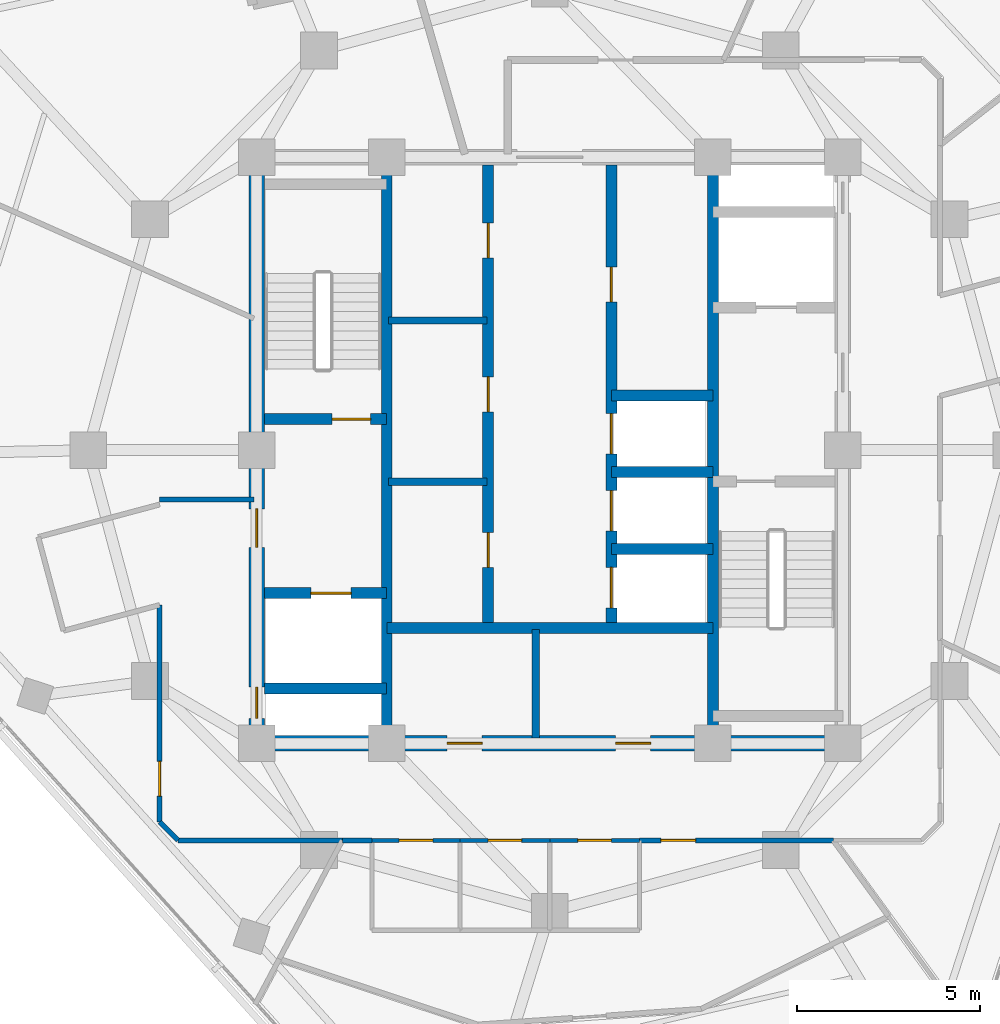
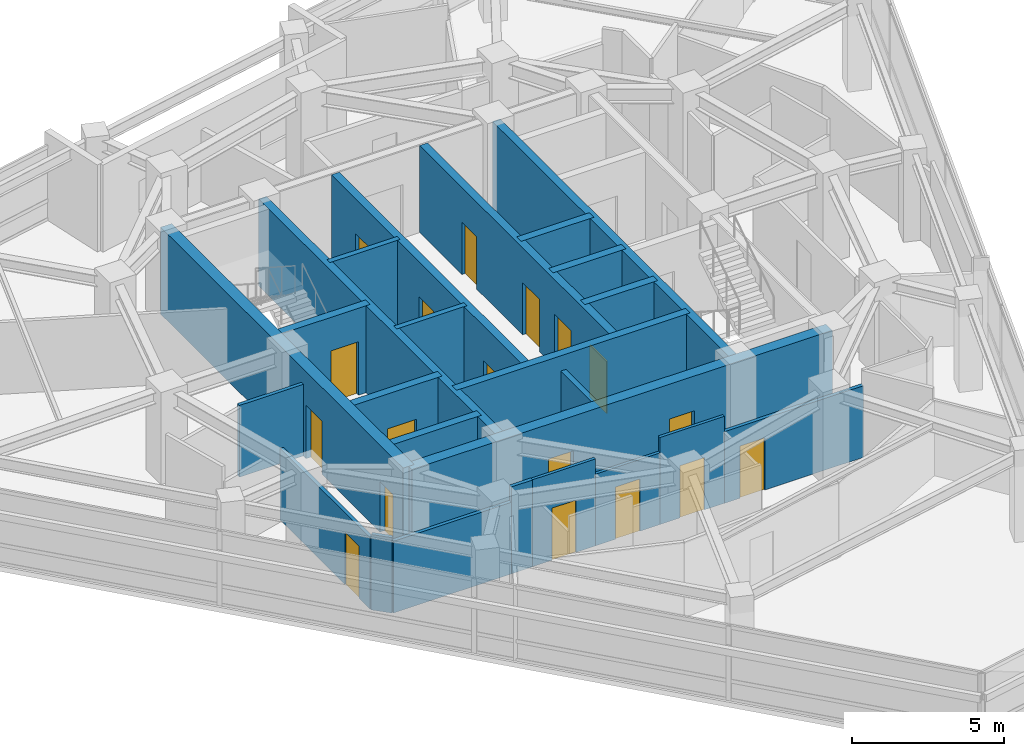
# One storey, part 8 of 15: 25 walls, 18 doors, 18 openings.
"""IFC4 building model written with IfcOpenShell, lengths in metres."""

from ifc_helpers import new_model, si_unit, direction, frame, frame_2d, origin, place, context, subcontext, project, spatial, rectangle, extrude, material, layer, layer_set, type_object, element, fill, save


model = new_model("IFC4")

# Units and contexts
model_context = context("Model", 3, precision=1e-05, world=origin(), true_north=direction((0.0, 1.0)))
body_context = subcontext(model_context, "Body", "Model", "MODEL_VIEW")
ifc_project = project(units=[si_unit("LENGTHUNIT", "METRE"), si_unit("AREAUNIT", "SQUARE_METRE"), si_unit("VOLUMEUNIT", "CUBIC_METRE"), si_unit("PLANEANGLEUNIT", "RADIAN"), si_unit("MASSUNIT", "GRAM", prefix="KILO")], contexts=[model_context])

# Site, building, storey
site_placement = place(None, origin())
site = spatial("IfcSite", under=ifc_project, at=site_placement, CompositionType="ELEMENT")
building_placement = place(site_placement, origin())
building = spatial("IfcBuilding", under=site, at=building_placement, Name="Terralouvre Media Tower", CompositionType="ELEMENT")
storey_placement = place(building_placement, frame((0.0, 0.0, 294.300048828125)))
storey = spatial("IfcBuildingStorey", under=building, at=storey_placement, Name="L76", CompositionType="ELEMENT", Elevation=294.300048828125)

# Walls
ifc_material_1 = material(Name="Concrete C50/60", Category="concrete")
ifc_layer_1 = layer(ifc_material_1, 0.300048828125, Name="Core Internal Shaft Wall CW-300")
ifc_layer_set_1 = layer_set([ifc_layer_1], Name="Concrete C50/60")
wall_type_1 = type_object("IfcWallType", Name="Core Internal Shaft Wall CW-300", PredefinedType="SHEAR", material=ifc_layer_set_1)
for number, where, z_axis, x_axis, name in (
    (1, (-4.449951171875, -7.7900390625, 0.0), (0.0, 0.0, 1.0), (0.0, 1.0, 0.0), "L76 Core Shaft Wall SPW"),
    (2, (4.449951171875, -7.7900390625, 0.0), (0.0, 0.0, 1.0), (0.0, 1.0, 0.0), "L76 Core Shaft Wall SPE"),
):
    element("IfcWall", number, at=place(storey_placement, frame(where, z_axis=z_axis, x_axis=x_axis)), inside=storey, type_object=wall_type_1, Name=name, PredefinedType="SHEAR", context=body_context, shape_type="SweptSolid", body=[
        extrude(rectangle(XDim=15.580078125, YDim=0.300048828125, at=frame_2d((7.7900390625, 0.0))), origin(), (0.0, 0.0, 1.0), 3.5),
    ])

# Wall, opening, door
wall_1_placement = place(storey_placement, frame((-7.7900390625, 0.85009765625, 0.0), z_axis=(0.0, 0.0, 1.0), x_axis=(1.0, 0.0, 0.0)))
wall_1 = element("IfcWall", 3, at=wall_1_placement, inside=storey, type_object=wall_type_1, Name="L76 Core Shaft Wall ST1D", PredefinedType="SHEAR", context=body_context, shape_type="SweptSolid", body=[
    extrude(rectangle(XDim=3.340087890625, YDim=0.300048828125, at=frame_2d((1.669921875, 0.0))), origin(), (0.0, 0.0, 1.0), 3.5),
])
opening_1_placement = place(wall_1_placement, frame((1.85009765625, 0.0, 0.0)))
opening_1 = element("IfcOpeningElement", 4, at=opening_1_placement, cuts=wall_1, Name="Opening FD-01-105X215", PredefinedType="OPENING", context=body_context, shape_type="SweptSolid", body=[
    extrude(rectangle(XDim=1.050048828125, YDim=2.14990234375, at=frame_2d((0.52490234375, 1.074951171875))), frame((0.0, 0.159912109375, 0.0), z_axis=(0.0, -1.0, 0.0), x_axis=(1.0, 0.0, 0.0)), (0.0, 0.0, 1.0), 0.320068359375),
])
ifc_material_2 = material(Name="Galvanised steel fire-resisting leaf", Category="steel")
door_type_1 = type_object("IfcDoorType", Name="Stair and Firefighting Lobby Fire Door FD-01 (1050x2150)", OperationType="NOTDEFINED", PredefinedType="DOOR", material=ifc_material_2)
door_1_placement = place(opening_1_placement, origin())
door_1 = element("IfcDoor", 5, at=door_1_placement, inside=storey, type_object=door_type_1, Name="L76 ST-01 Exit Stair Door", OperationType="SINGLE_SWING_LEFT", OverallHeight=2.14990234375, OverallWidth=1.050048828125, PredefinedType="DOOR", context=body_context, shape_type="SweptSolid", body=[
    extrude(rectangle(XDim=1.050048828125, YDim=2.14990234375, at=frame_2d((0.52490234375, 1.074951171875))), frame((0.0, 0.02490234375, 0.0), z_axis=(0.0, -1.0, 0.0), x_axis=(1.0, 0.0, 0.0)), (0.0, 0.0, 1.0), 0.050048828125),
])
fill(opening_1, door_1)

wall_2_placement = place(storey_placement, frame((-7.7900390625, -3.89990234375, 0.0), z_axis=(0.0, 0.0, 1.0), x_axis=(1.0, 0.0, 0.0)))
wall_2 = element("IfcWall", 6, at=wall_2_placement, inside=storey, type_object=wall_type_1, Name="L76 Core Shaft Wall FF1N", PredefinedType="SHEAR", context=body_context, shape_type="SweptSolid", body=[
    extrude(rectangle(XDim=3.340087890625, YDim=0.300048828125, at=frame_2d((1.669921875, 0.0))), origin(), (0.0, 0.0, 1.0), 3.5),
])
opening_2_placement = place(wall_2_placement, frame((1.27001953125, 0.0, 0.0)))
opening_2 = element("IfcOpeningElement", 7, at=opening_2_placement, cuts=wall_2, Name="Opening LD-FF", PredefinedType="OPENING", context=body_context, shape_type="SweptSolid", body=[
    extrude(rectangle(XDim=1.10009765625, YDim=2.10009765625, at=frame_2d((0.550048828125, 1.050048828125))), frame((0.0, 0.159912109375, 0.0), z_axis=(0.0, -1.0, 0.0), x_axis=(1.0, 0.0, 0.0)), (0.0, 0.0, 1.0), 0.320068359375),
])
ifc_material_3 = material(Name="Stainless steel 316 handrail and balustrade", Category="steel")
door_type_2 = type_object("IfcDoorType", Name="Firefighting Lift Sliding Landing Door LD-FF", OperationType="SLIDING_TO_LEFT", PredefinedType="DOOR", material=ifc_material_3)
door_2_placement = place(opening_2_placement, origin())
door_2 = element("IfcDoor", 8, at=door_2_placement, inside=storey, type_object=door_type_2, Name="L76 Firefighting Lift FFL-01 Landing Door", OperationType="SLIDING_TO_LEFT", OverallHeight=2.10009765625, OverallWidth=1.10009765625, PredefinedType="DOOR", context=body_context, shape_type="SweptSolid", body=[
    extrude(rectangle(XDim=1.10009765625, YDim=2.10009765625, at=frame_2d((0.550048828125, 1.050048828125))), frame((0.0, 0.02490234375, 0.0), z_axis=(0.0, -1.0, 0.0), x_axis=(1.0, 0.0, 0.0)), (0.0, 0.0, 1.0), 0.050048828125),
])
fill(opening_2, door_2)

# Walls
wall_3_placement = place(storey_placement, frame((-7.7900390625, -6.5, 0.0), z_axis=(0.0, 0.0, 1.0), x_axis=(1.0, 0.0, 0.0)))
element("IfcWall", 9, at=wall_3_placement, inside=storey, type_object=wall_type_1, Name="L76 Core Shaft Wall FF1S", PredefinedType="SHEAR", context=body_context, shape_type="SweptSolid", body=[
    extrude(rectangle(XDim=3.340087890625, YDim=0.300048828125, at=frame_2d((1.669921875, 0.0))), origin(), (0.0, 0.0, 1.0), 3.5),
])
wall_4_placement = place(storey_placement, frame((-4.449951171875, -4.85009765625, 0.0), z_axis=(0.0, 0.0, 1.0), x_axis=(1.0, 0.0, 0.0)))
element("IfcWall", 10, at=wall_4_placement, inside=storey, type_object=wall_type_1, Name="L76 Core Shaft Wall CSBN", PredefinedType="SHEAR", context=body_context, shape_type="SweptSolid", body=[
    extrude(rectangle(XDim=8.89990234375, YDim=0.300048828125, at=frame_2d((4.449951171875, 0.0))), origin(), (0.0, 0.0, 1.0), 3.5),
])

# Wall, openings, doors
wall_5_placement = place(storey_placement, frame((-1.679931640625, -4.85009765625, 0.0), z_axis=(0.0, 0.0, 1.0), x_axis=(0.0, 1.0, 0.0)))
wall_5 = element("IfcWall", 11, at=wall_5_placement, inside=storey, type_object=wall_type_1, Name="L76 Core Shaft Wall LBW", PredefinedType="SHEAR", context=body_context, shape_type="SweptSolid", body=[
    extrude(rectangle(XDim=12.64013671875, YDim=0.300048828125, at=frame_2d((6.320068359375, 0.0))), origin(), (0.0, 0.0, 1.0), 3.5),
])
opening_3_placement = place(wall_5_placement, frame((1.64990234375, 0.0, 0.0)))
opening_3 = element("IfcOpeningElement", 12, at=opening_3_placement, cuts=wall_5, Name="Opening FD-02-95X210", PredefinedType="OPENING", context=body_context, shape_type="SweptSolid", body=[
    extrude(rectangle(XDim=0.949951171875, YDim=2.10009765625, at=frame_2d((0.47509765625, 1.050048828125))), frame((0.0, 0.159912109375, 0.0), z_axis=(0.0, -1.0, 0.0), x_axis=(1.0, 0.0, 0.0)), (0.0, 0.0, 1.0), 0.320068359375),
])
opening_4_placement = place(wall_5_placement, frame((5.89990234375, 0.0, 0.0)))
opening_4 = element("IfcOpeningElement", 13, at=opening_4_placement, cuts=wall_5, Name="Opening SD-02", PredefinedType="OPENING", context=body_context, shape_type="SweptSolid", body=[
    extrude(rectangle(XDim=0.949951171875, YDim=2.10009765625, at=frame_2d((0.47509765625, 1.050048828125))), frame((0.0, 0.159912109375, 0.0), z_axis=(0.0, -1.0, 0.0), x_axis=(1.0, 0.0, 0.0)), (0.0, 0.0, 1.0), 0.320068359375),
])
opening_5_placement = place(wall_5_placement, frame((10.10009765625, 0.0, 0.0)))
opening_5 = element("IfcOpeningElement", 14, at=opening_5_placement, cuts=wall_5, Name="Opening FD-02-95X210", PredefinedType="OPENING", context=body_context, shape_type="SweptSolid", body=[
    extrude(rectangle(XDim=0.949951171875, YDim=2.10009765625, at=frame_2d((0.47509765625, 1.050048828125))), frame((0.0, 0.159912109375, 0.0), z_axis=(0.0, -1.0, 0.0), x_axis=(1.0, 0.0, 0.0)), (0.0, 0.0, 1.0), 0.320068359375),
])
ifc_material_4 = material(Name="Galvanised steel fire-resisting leaf", Category="steel")
door_type_3 = type_object("IfcDoorType", Name="Core Service Sliding Fire Door SD-02", OperationType="SLIDING_TO_LEFT", PredefinedType="DOOR", material=ifc_material_4)
door_3_placement = place(opening_4_placement, origin())
door_3 = element("IfcDoor", 15, at=door_3_placement, inside=storey, type_object=door_type_3, Name="L76 Core Pantry Store Door", OperationType="SLIDING_TO_LEFT", OverallHeight=2.10009765625, OverallWidth=0.949951171875, PredefinedType="DOOR", context=body_context, shape_type="SweptSolid", body=[
    extrude(rectangle(XDim=0.949951171875, YDim=2.10009765625, at=frame_2d((0.47509765625, 1.050048828125))), frame((0.0, 0.02490234375, 0.0), z_axis=(0.0, -1.0, 0.0), x_axis=(1.0, 0.0, 0.0)), (0.0, 0.0, 1.0), 0.050048828125),
])
fill(opening_4, door_3)
ifc_material_5 = material(Name="Galvanised steel fire-resisting leaf", Category="steel")
door_type_4 = type_object("IfcDoorType", Name="Plant and Riser Fire Door FD-02 (950x2100)", OperationType="NOTDEFINED", PredefinedType="DOOR", material=ifc_material_5)
door_4_placement = place(opening_3_placement, origin())
door_4 = element("IfcDoor", 16, at=door_4_placement, inside=storey, type_object=door_type_4, Name="L76 Core UPS Switch Plant Door", OperationType="SINGLE_SWING_LEFT", OverallHeight=2.10009765625, OverallWidth=0.949951171875, PredefinedType="DOOR", context=body_context, shape_type="SweptSolid", body=[
    extrude(rectangle(XDim=0.949951171875, YDim=2.10009765625, at=frame_2d((0.47509765625, 1.050048828125))), frame((0.0, 0.02490234375, 0.0), z_axis=(0.0, -1.0, 0.0), x_axis=(1.0, 0.0, 0.0)), (0.0, 0.0, 1.0), 0.050048828125),
])
fill(opening_3, door_4)
door_5_placement = place(opening_5_placement, origin())
door_5 = element("IfcDoor", 17, at=door_5_placement, inside=storey, type_object=door_type_4, Name="L76 Core Edge Server Plant Door", OperationType="SINGLE_SWING_RIGHT", OverallHeight=2.10009765625, OverallWidth=0.949951171875, PredefinedType="DOOR", context=body_context, shape_type="SweptSolid", body=[
    extrude(rectangle(XDim=0.949951171875, YDim=2.10009765625, at=frame_2d((0.47509765625, 1.050048828125))), frame((0.0, 0.02490234375, 0.0), z_axis=(0.0, -1.0, 0.0), x_axis=(1.0, 0.0, 0.0)), (0.0, 0.0, 1.0), 0.050048828125),
])
fill(opening_5, door_5)

wall_6_placement = place(storey_placement, frame((1.679931640625, -4.85009765625, 0.0), z_axis=(0.0, 0.0, 1.0), x_axis=(0.0, 1.0, 0.0)))
wall_6 = element("IfcWall", 18, at=wall_6_placement, inside=storey, type_object=wall_type_1, Name="L76 Core Shaft Wall LBE", PredefinedType="SHEAR", context=body_context, shape_type="SweptSolid", body=[
    extrude(rectangle(XDim=12.64013671875, YDim=0.300048828125, at=frame_2d((6.320068359375, 0.0))), origin(), (0.0, 0.0, 1.0), 3.5),
])
opening_6_placement = place(wall_6_placement, frame((0.550048828125, 0.0, 0.0)))
opening_6 = element("IfcOpeningElement", 19, at=opening_6_placement, cuts=wall_6, Name="Opening LD-PL", PredefinedType="OPENING", context=body_context, shape_type="SweptSolid", body=[
    extrude(rectangle(XDim=1.10009765625, YDim=2.10009765625, at=frame_2d((0.550048828125, 1.050048828125))), frame((0.0, 0.159912109375, 0.0), z_axis=(0.0, -1.0, 0.0), x_axis=(1.0, 0.0, 0.0)), (0.0, 0.0, 1.0), 0.320068359375),
])
opening_7_placement = place(wall_6_placement, frame((2.64990234375, 0.0, 0.0)))
opening_7 = element("IfcOpeningElement", 20, at=opening_7_placement, cuts=wall_6, Name="Opening LD-PL", PredefinedType="OPENING", context=body_context, shape_type="SweptSolid", body=[
    extrude(rectangle(XDim=1.10009765625, YDim=2.10009765625, at=frame_2d((0.550048828125, 1.050048828125))), frame((0.0, 0.159912109375, 0.0), z_axis=(0.0, -1.0, 0.0), x_axis=(1.0, 0.0, 0.0)), (0.0, 0.0, 1.0), 0.320068359375),
])
opening_8_placement = place(wall_6_placement, frame((4.75, 0.0, 0.0)))
opening_8 = element("IfcOpeningElement", 21, at=opening_8_placement, cuts=wall_6, Name="Opening LD-PL", PredefinedType="OPENING", context=body_context, shape_type="SweptSolid", body=[
    extrude(rectangle(XDim=1.10009765625, YDim=2.10009765625, at=frame_2d((0.550048828125, 1.050048828125))), frame((0.0, 0.159912109375, 0.0), z_axis=(0.0, -1.0, 0.0), x_axis=(1.0, 0.0, 0.0)), (0.0, 0.0, 1.0), 0.320068359375),
])
opening_9_placement = place(wall_6_placement, frame((8.89990234375, 0.0, 0.0)))
opening_9 = element("IfcOpeningElement", 22, at=opening_9_placement, cuts=wall_6, Name="Opening FD-02-95X210", PredefinedType="OPENING", context=body_context, shape_type="SweptSolid", body=[
    extrude(rectangle(XDim=0.949951171875, YDim=2.10009765625, at=frame_2d((0.47509765625, 1.050048828125))), frame((0.0, 0.159912109375, 0.0), z_axis=(0.0, -1.0, 0.0), x_axis=(1.0, 0.0, 0.0)), (0.0, 0.0, 1.0), 0.320068359375),
])
ifc_material_6 = material(Name="Stainless steel 316 handrail and balustrade", Category="steel")
door_type_5 = type_object("IfcDoorType", Name="Passenger Lift Sliding Landing Door LD-PL", OperationType="SLIDING_TO_LEFT", PredefinedType="DOOR", material=ifc_material_6)
door_6_placement = place(opening_6_placement, origin())
door_6 = element("IfcDoor", 23, at=door_6_placement, inside=storey, type_object=door_type_5, Name="L76 High-Rise Lift PL-H1 Landing Door", OperationType="SLIDING_TO_LEFT", OverallHeight=2.10009765625, OverallWidth=1.10009765625, PredefinedType="DOOR", context=body_context, shape_type="SweptSolid", body=[
    extrude(rectangle(XDim=1.10009765625, YDim=2.10009765625, at=frame_2d((0.550048828125, 1.050048828125))), frame((0.0, 0.02490234375, 0.0), z_axis=(0.0, -1.0, 0.0), x_axis=(1.0, 0.0, 0.0)), (0.0, 0.0, 1.0), 0.050048828125),
])
fill(opening_6, door_6)
door_7_placement = place(opening_7_placement, origin())
door_7 = element("IfcDoor", 24, at=door_7_placement, inside=storey, type_object=door_type_5, Name="L76 High-Rise Lift PL-H2 Landing Door", OperationType="SLIDING_TO_LEFT", OverallHeight=2.10009765625, OverallWidth=1.10009765625, PredefinedType="DOOR", context=body_context, shape_type="SweptSolid", body=[
    extrude(rectangle(XDim=1.10009765625, YDim=2.10009765625, at=frame_2d((0.550048828125, 1.050048828125))), frame((0.0, 0.02490234375, 0.0), z_axis=(0.0, -1.0, 0.0), x_axis=(1.0, 0.0, 0.0)), (0.0, 0.0, 1.0), 0.050048828125),
])
fill(opening_7, door_7)
door_8_placement = place(opening_8_placement, origin())
door_8 = element("IfcDoor", 25, at=door_8_placement, inside=storey, type_object=door_type_5, Name="L76 High-Rise Lift PL-H3 Landing Door", OperationType="SLIDING_TO_LEFT", OverallHeight=2.10009765625, OverallWidth=1.10009765625, PredefinedType="DOOR", context=body_context, shape_type="SweptSolid", body=[
    extrude(rectangle(XDim=1.10009765625, YDim=2.10009765625, at=frame_2d((0.550048828125, 1.050048828125))), frame((0.0, 0.02490234375, 0.0), z_axis=(0.0, -1.0, 0.0), x_axis=(1.0, 0.0, 0.0)), (0.0, 0.0, 1.0), 0.050048828125),
])
fill(opening_8, door_8)
door_9_placement = place(opening_9_placement, origin())
door_9 = element("IfcDoor", 26, at=door_9_placement, inside=storey, type_object=door_type_4, Name="L76 Core AHU Sub-Plant Door", OperationType="SINGLE_SWING_LEFT", OverallHeight=2.10009765625, OverallWidth=0.949951171875, PredefinedType="DOOR", context=body_context, shape_type="SweptSolid", body=[
    extrude(rectangle(XDim=0.949951171875, YDim=2.10009765625, at=frame_2d((0.47509765625, 1.050048828125))), frame((0.0, 0.02490234375, 0.0), z_axis=(0.0, -1.0, 0.0), x_axis=(1.0, 0.0, 0.0)), (0.0, 0.0, 1.0), 0.050048828125),
])
fill(opening_9, door_9)

# Walls
for number, where, z_axis, x_axis, name in (
    (27, (1.679931640625, 1.5, 0.0), (0.0, 0.0, 1.0), (1.0, 0.0, 0.0), "L76 Core Shaft Wall PLMBOT"),
    (28, (1.679931640625, -2.699951171875, 0.0), (0.0, 0.0, 1.0), (1.0, 0.0, 0.0), "L76 Core Shaft Wall PLHD1"),
    (29, (1.679931640625, -0.60009765625, 0.0), (0.0, 0.0, 1.0), (1.0, 0.0, 0.0), "L76 Core Shaft Wall PLHD2"),
):
    element("IfcWall", number, at=place(storey_placement, frame(where, z_axis=z_axis, x_axis=x_axis)), inside=storey, type_object=wall_type_1, Name=name, PredefinedType="SHEAR", context=body_context, shape_type="SweptSolid", body=[
        extrude(rectangle(XDim=2.77001953125, YDim=0.300048828125, at=frame_2d((1.385009765625, 0.0))), origin(), (0.0, 0.0, 1.0), 3.5),
    ])

# Wall, openings, doors
ifc_material_7 = material(Name="Concrete C60/75", Category="concrete")
ifc_layer_2 = layer(ifc_material_7, 0.419921875, Name="Core Reinforced Concrete Shear Wall CW-420")
ifc_layer_set_2 = layer_set([ifc_layer_2], Name="Concrete C60/75")
wall_type_2 = type_object("IfcWallType", Name="Core Reinforced Concrete Shear Wall CW-420", PredefinedType="SHEAR", material=ifc_layer_set_2)
wall_7_placement = place(storey_placement, frame((-8.0, -8.0, 0.0), z_axis=(0.0, 0.0, 1.0), x_axis=(0.0, 1.0, 0.0)))
wall_7 = element("IfcWall", 30, at=wall_7_placement, inside=storey, type_object=wall_type_2, Name="L76 W Core Shear Wall", PredefinedType="SHEAR", context=body_context, shape_type="SweptSolid", body=[
    extrude(rectangle(XDim=16.0, YDim=0.419921875, at=frame_2d((8.0, 0.0))), origin(), (0.0, 0.0, 1.0), 3.5),
])
opening_10_placement = place(wall_7_placement, frame((0.68115234375, 0.0, 0.0)))
opening_10 = element("IfcOpeningElement", 31, at=opening_10_placement, cuts=wall_7, Name="Opening TD-R1", PredefinedType="OPENING", context=body_context, shape_type="SweptSolid", body=[
    extrude(rectangle(XDim=0.85009765625, YDim=2.02001953125, at=frame_2d((0.425048828125, 1.010009765625))), frame((0.0, 0.219970703125, 0.0), z_axis=(0.0, -1.0, 0.0), x_axis=(1.0, 0.0, 0.0)), (0.0, 0.0, 1.0), 0.43994140625),
])
opening_11_placement = place(wall_7_placement, frame((5.35009765625, 0.0, 0.0)))
opening_11 = element("IfcOpeningElement", 32, at=opening_11_placement, cuts=wall_7, Name="Opening FD-01-105X215", PredefinedType="OPENING", context=body_context, shape_type="SweptSolid", body=[
    extrude(rectangle(XDim=1.050048828125, YDim=2.14990234375, at=frame_2d((0.52490234375, 1.074951171875))), frame((0.0, 0.219970703125, 0.0), z_axis=(0.0, -1.0, 0.0), x_axis=(1.0, 0.0, 0.0)), (0.0, 0.0, 1.0), 0.43994140625),
])
ifc_material_8 = material(Name="Galvanised steel fire-resisting leaf", Category="steel")
door_type_6 = type_object("IfcDoorType", Name="Riser Inspection Access Trapdoor TD-R1", OperationType="NOTDEFINED", PredefinedType="TRAPDOOR", material=ifc_material_8)
door_10_placement = place(opening_10_placement, origin())
door_10 = element("IfcDoor", 33, at=door_10_placement, inside=storey, type_object=door_type_6, Name="L76 Wet Riser Access Trapdoor", OperationType="SINGLE_SWING_LEFT", OverallHeight=2.02001953125, OverallWidth=0.85009765625, PredefinedType="TRAPDOOR", context=body_context, shape_type="SweptSolid", body=[
    extrude(rectangle(XDim=0.85009765625, YDim=2.02001953125, at=frame_2d((0.425048828125, 1.010009765625))), frame((0.0, 0.02490234375, 0.0), z_axis=(0.0, -1.0, 0.0), x_axis=(1.0, 0.0, 0.0)), (0.0, 0.0, 1.0), 0.050048828125),
])
fill(opening_10, door_10)
door_11_placement = place(opening_11_placement, origin())
door_11 = element("IfcDoor", 34, at=door_11_placement, inside=storey, type_object=door_type_1, Name="L76 West Firefighting Lobby Entry Door", OperationType="SINGLE_SWING_RIGHT", OverallHeight=2.14990234375, OverallWidth=1.050048828125, PredefinedType="DOOR", context=body_context, shape_type="SweptSolid", body=[
    extrude(rectangle(XDim=1.050048828125, YDim=2.14990234375, at=frame_2d((0.52490234375, 1.074951171875))), frame((0.0, 0.02490234375, 0.0), z_axis=(0.0, -1.0, 0.0), x_axis=(1.0, 0.0, 0.0)), (0.0, 0.0, 1.0), 0.050048828125),
])
fill(opening_11, door_11)

wall_8_placement = place(storey_placement, frame((-8.0, -8.0, 0.0), z_axis=(0.0, 0.0, 1.0), x_axis=(1.0, 0.0, 0.0)))
wall_8 = element("IfcWall", 35, at=wall_8_placement, inside=storey, type_object=wall_type_2, Name="L76 S Core Shear Wall", PredefinedType="SHEAR", context=body_context, shape_type="SweptSolid", body=[
    extrude(rectangle(XDim=16.0, YDim=0.419921875, at=frame_2d((8.0, 0.0))), origin(), (0.0, 0.0, 1.0), 3.5),
])
opening_12_placement = place(wall_8_placement, frame((5.199951171875, 0.0, 0.0)))
opening_12 = element("IfcOpeningElement", 36, at=opening_12_placement, cuts=wall_8, Name="Opening FD-02-95X210", PredefinedType="OPENING", context=body_context, shape_type="SweptSolid", body=[
    extrude(rectangle(XDim=0.949951171875, YDim=2.10009765625, at=frame_2d((0.47509765625, 1.050048828125))), frame((0.0, 0.219970703125, 0.0), z_axis=(0.0, -1.0, 0.0), x_axis=(1.0, 0.0, 0.0)), (0.0, 0.0, 1.0), 0.43994140625),
])
opening_13_placement = place(wall_8_placement, frame((9.800048828125, 0.0, 0.0)))
opening_13 = element("IfcOpeningElement", 37, at=opening_13_placement, cuts=wall_8, Name="Opening FD-02-95X210", PredefinedType="OPENING", context=body_context, shape_type="SweptSolid", body=[
    extrude(rectangle(XDim=0.949951171875, YDim=2.10009765625, at=frame_2d((0.47509765625, 1.050048828125))), frame((0.0, 0.219970703125, 0.0), z_axis=(0.0, -1.0, 0.0), x_axis=(1.0, 0.0, 0.0)), (0.0, 0.0, 1.0), 0.43994140625),
])
door_12_placement = place(opening_12_placement, origin())
door_12 = element("IfcDoor", 38, at=door_12_placement, inside=storey, type_object=door_type_4, Name="L76 Core Valve Plant Door", OperationType="SINGLE_SWING_LEFT", OverallHeight=2.10009765625, OverallWidth=0.949951171875, PredefinedType="DOOR", context=body_context, shape_type="SweptSolid", body=[
    extrude(rectangle(XDim=0.949951171875, YDim=2.10009765625, at=frame_2d((0.47509765625, 1.050048828125))), frame((0.0, 0.02490234375, 0.0), z_axis=(0.0, -1.0, 0.0), x_axis=(1.0, 0.0, 0.0)), (0.0, 0.0, 1.0), 0.050048828125),
])
fill(opening_12, door_12)
door_13_placement = place(opening_13_placement, origin())
door_13 = element("IfcDoor", 39, at=door_13_placement, inside=storey, type_object=door_type_4, Name="L76 Core MDF Plant Door", OperationType="SINGLE_SWING_RIGHT", OverallHeight=2.10009765625, OverallWidth=0.949951171875, PredefinedType="DOOR", context=body_context, shape_type="SweptSolid", body=[
    extrude(rectangle(XDim=0.949951171875, YDim=2.10009765625, at=frame_2d((0.47509765625, 1.050048828125))), frame((0.0, 0.02490234375, 0.0), z_axis=(0.0, -1.0, 0.0), x_axis=(1.0, 0.0, 0.0)), (0.0, 0.0, 1.0), 0.050048828125),
])
fill(opening_13, door_13)

# Walls
ifc_material_9 = material(Name="Fire-rated gypsum board drywall partition")
ifc_layer_3 = layer(ifc_material_9, 0.199951171875, Name="Fire-Rated Shaft and Lobby Partition FW-200")
ifc_layer_set_3 = layer_set([ifc_layer_3], Name="Fire-rated gypsum board drywall partition")
wall_type_3 = type_object("IfcWallType", Name="Fire-Rated Shaft and Lobby Partition FW-200", PredefinedType="SOLIDWALL", material=ifc_layer_set_3)
wall_9_placement = place(storey_placement, frame((-0.3798828125, -7.85009765625, 0.0), z_axis=(0.0, 0.0, 1.0), x_axis=(0.0, 1.0, 0.0)))
element("IfcWall", 40, at=wall_9_placement, inside=storey, type_object=wall_type_3, Name="L76 Core Service Bay Partition 1", PredefinedType="SOLIDWALL", context=body_context, shape_type="SweptSolid", body=[
    extrude(rectangle(XDim=2.9501953125, YDim=0.199951171875, at=frame_2d((1.47509765625, 0.0))), origin(), (0.0, 0.0, 1.0), 2.885009765625),
])
for number, where, z_axis, x_axis, name in (
    (41, (-4.39990234375, -0.860107421875, 0.0), (0.0, 0.0, 1.0), (1.0, 0.0, 0.0), "L76 Core West Sub-Partition 1"),
    (42, (-4.39990234375, 3.5400390625, 0.0), (0.0, 0.0, 1.0), (1.0, 0.0, 0.0), "L76 Core West Sub-Partition 2"),
):
    element("IfcWall", number, at=place(storey_placement, frame(where, z_axis=z_axis, x_axis=x_axis)), inside=storey, type_object=wall_type_3, Name=name, PredefinedType="SOLIDWALL", context=body_context, shape_type="SweptSolid", body=[
        extrude(rectangle(XDim=2.679931640625, YDim=0.199951171875, at=frame_2d((1.33984375, 0.0))), origin(), (0.0, 0.0, 1.0), 3.5),
    ])
ifc_material_10 = material(Name="Fire-rated gypsum board drywall partition")
ifc_layer_4 = layer(ifc_material_10, 0.135009765625, Name="Newsroom Acoustic Partition PT-135")
ifc_layer_set_4 = layer_set([ifc_layer_4], Name="Fire-rated gypsum board drywall partition")
wall_type_4 = type_object("IfcWallType", Name="Newsroom Acoustic Partition PT-135", PredefinedType="PARTITIONING", material=ifc_layer_set_4)
wall_10_placement = place(storey_placement, frame((-8.080078125, -1.35009765625, 0.0), z_axis=(0.0, 0.0, 1.0), x_axis=(-1.0, 0.0, 0.0)))
element("IfcWall", 43, at=wall_10_placement, inside=storey, type_object=wall_type_4, Name="L76 Interior Partition 001", PredefinedType="PARTITIONING", context=body_context, shape_type="SweptSolid", body=[
    extrude(rectangle(XDim=2.56982421875, YDim=0.135009765625, at=frame_2d((1.284912109375, 0.0))), origin(), (0.0, 0.0, 1.0), 2.885009765625),
])

# Wall, opening, door
wall_11_placement = place(storey_placement, frame((-10.64990234375, -4.22509765625, 0.0), z_axis=(0.0, 0.0, 1.0), x_axis=(0.0, -1.0, 0.0)))
wall_11 = element("IfcWall", 44, at=wall_11_placement, inside=storey, type_object=wall_type_4, Name="L76 Interior Partition 005", PredefinedType="PARTITIONING", context=body_context, shape_type="SweptSolid", body=[
    extrude(rectangle(XDim=5.9248046875, YDim=0.135009765625, at=frame_2d((2.96240234375, 0.0))), origin(), (0.0, 0.0, 1.0), 2.885009765625),
])
opening_14_placement = place(wall_11_placement, frame((4.264892578125, 0.0, 0.0)))
opening_14 = element("IfcOpeningElement", 45, at=opening_14_placement, cuts=wall_11, Name="Opening ID-02-95X210", PredefinedType="OPENING", context=body_context, shape_type="SweptSolid", body=[
    extrude(rectangle(XDim=0.949951171875, YDim=2.10009765625, at=frame_2d((0.47509765625, 1.050048828125))), frame((0.0, 0.077392578125, 0.0), z_axis=(0.0, -1.0, 0.0), x_axis=(1.0, 0.0, 0.0)), (0.0, 0.0, 1.0), 0.155029296875),
])
ifc_material_11 = material(Name="Engineered hardwood acoustic timber leaf", Category="wood")
door_type_7 = type_object("IfcDoorType", Name="Office and Meeting Room Door ID-02 (950x2100)", OperationType="NOTDEFINED", PredefinedType="DOOR", material=ifc_material_11)
door_14_placement = place(opening_14_placement, origin())
door_14 = element("IfcDoor", 46, at=door_14_placement, inside=storey, type_object=door_type_7, Name="L76 Digital Asset Vault Store 1 Door", OperationType="SINGLE_SWING_RIGHT", OverallHeight=2.10009765625, OverallWidth=0.949951171875, PredefinedType="DOOR", context=body_context, shape_type="SweptSolid", body=[
    extrude(rectangle(XDim=0.949951171875, YDim=2.10009765625, at=frame_2d((0.47509765625, 1.050048828125))), frame((0.0, 0.02490234375, 0.0), z_axis=(0.0, -1.0, 0.0), x_axis=(1.0, 0.0, 0.0)), (0.0, 0.0, 1.0), 0.050048828125),
])
fill(opening_14, door_14)

# Walls
wall_12_placement = place(storey_placement, frame((-10.64990234375, -10.14990234375, 0.0), z_axis=(0.0, 0.0, 1.0), x_axis=(0.707106781187, -0.707106781187, 0.0)))
element("IfcWall", 47, at=wall_12_placement, inside=storey, type_object=wall_type_4, Name="L76 Interior Partition 006", PredefinedType="PARTITIONING", context=body_context, shape_type="SweptSolid", body=[
    extrude(rectangle(XDim=0.70703125, YDim=0.135009765625, at=frame_2d((0.353515625, 0.0))), origin(), (0.0, 0.0, 1.0), 3.034912109375),
])
wall_13_placement = place(storey_placement, frame((-10.14990234375, -10.64990234375, 0.0), z_axis=(0.0, 0.0, 1.0), x_axis=(1.0, 0.0, 0.0)))
element("IfcWall", 48, at=wall_13_placement, inside=storey, type_object=wall_type_4, Name="L76 Interior Partition 007", PredefinedType="PARTITIONING", context=body_context, shape_type="SweptSolid", body=[
    extrude(rectangle(XDim=4.48681640625, YDim=0.135009765625, at=frame_2d((2.243408203125, 0.0))), origin(), (0.0, 0.0, 1.0), 2.885009765625),
])
wall_14_placement = place(storey_placement, frame((-5.6630859375, -10.64990234375, 0.0), z_axis=(0.0, 0.0, 1.0), x_axis=(1.0, 0.0, 0.0)))
element("IfcWall", 49, at=wall_14_placement, inside=storey, type_object=wall_type_4, Name="L76 Interior Partition 016", PredefinedType="PARTITIONING", context=body_context, shape_type="SweptSolid", body=[
    extrude(rectangle(XDim=0.81298828125, YDim=0.135009765625, at=frame_2d((0.406494140625, 0.0))), origin(), (0.0, 0.0, 1.0), 3.5),
])

# Wall, opening, door
wall_15_placement = place(storey_placement, frame((2.449951171875, -10.64990234375, 0.0), z_axis=(0.0, 0.0, 1.0), x_axis=(1.0, 0.0, 0.0)))
wall_15 = element("IfcWall", 50, at=wall_15_placement, inside=storey, type_object=wall_type_4, Name="L76 Interior Partition 017", PredefinedType="PARTITIONING", context=body_context, shape_type="SweptSolid", body=[
    extrude(rectangle(XDim=5.2880859375, YDim=0.135009765625, at=frame_2d((2.64404296875, 0.0))), origin(), (0.0, 0.0, 1.0), 2.885009765625),
])
opening_15_placement = place(wall_15_placement, frame((0.58251953125, 0.0, 0.0)))
opening_15 = element("IfcOpeningElement", 51, at=opening_15_placement, cuts=wall_15, Name="Opening ID-02-95X210", PredefinedType="OPENING", context=body_context, shape_type="SweptSolid", body=[
    extrude(rectangle(XDim=0.949951171875, YDim=2.10009765625, at=frame_2d((0.47509765625, 1.050048828125))), frame((0.0, 0.077392578125, 0.0), z_axis=(0.0, -1.0, 0.0), x_axis=(1.0, 0.0, 0.0)), (0.0, 0.0, 1.0), 0.155029296875),
])
door_15_placement = place(opening_15_placement, origin())
door_15 = element("IfcDoor", 52, at=door_15_placement, inside=storey, type_object=door_type_7, Name="L76 Data Visualization Workspace 3 Door", OperationType="SINGLE_SWING_LEFT", OverallHeight=2.10009765625, OverallWidth=0.949951171875, PredefinedType="DOOR", context=body_context, shape_type="SweptSolid", body=[
    extrude(rectangle(XDim=0.949951171875, YDim=2.10009765625, at=frame_2d((0.47509765625, 1.050048828125))), frame((0.0, 0.02490234375, 0.0), z_axis=(0.0, -1.0, 0.0), x_axis=(1.0, 0.0, 0.0)), (0.0, 0.0, 1.0), 0.050048828125),
])
fill(opening_15, door_15)

ifc_material_12 = material(Name="Fire-rated gypsum board drywall partition")
ifc_layer_5 = layer(ifc_material_12, 0.114990234375, Name="Restroom and Pantry Partition PT-115")
ifc_layer_set_5 = layer_set([ifc_layer_5], Name="Fire-rated gypsum board drywall partition")
wall_type_5 = type_object("IfcWallType", Name="Restroom and Pantry Partition PT-115", PredefinedType="PARTITIONING", material=ifc_layer_set_5)
wall_16_placement = place(storey_placement, frame((-4.85009765625, -10.64990234375, 0.0), z_axis=(0.0, 0.0, 1.0), x_axis=(1.0, 0.0, 0.0)))
wall_16 = element("IfcWall", 53, at=wall_16_placement, inside=storey, type_object=wall_type_5, Name="L76 Interior Partition 013", PredefinedType="PARTITIONING", context=body_context, shape_type="SweptSolid", body=[
    extrude(rectangle(XDim=2.400146484375, YDim=0.114990234375, at=frame_2d((1.2001953125, 0.0))), origin(), (0.0, 0.0, 1.0), 3.5),
])
opening_16_placement = place(wall_16_placement, frame((0.739990234375, 0.0, 0.0)))
opening_16 = element("IfcOpeningElement", 54, at=opening_16_placement, cuts=wall_16, Name="Opening ID-03-92X210", PredefinedType="OPENING", context=body_context, shape_type="SweptSolid", body=[
    extrude(rectangle(XDim=0.919921875, YDim=2.10009765625, at=frame_2d((0.4599609375, 1.050048828125))), frame((0.0, 0.0673828125, 0.0), z_axis=(0.0, -1.0, 0.0), x_axis=(1.0, 0.0, 0.0)), (0.0, 0.0, 1.0), 0.135009765625),
])
ifc_material_13 = material(Name="Engineered hardwood acoustic timber leaf", Category="wood")
door_type_8 = type_object("IfcDoorType", Name="Accessible Restroom and Suite Door ID-03 (920x2100)", OperationType="NOTDEFINED", PredefinedType="DOOR", material=ifc_material_13)
door_16_placement = place(opening_16_placement, origin())
door_16 = element("IfcDoor", 55, at=door_16_placement, inside=storey, type_object=door_type_8, Name="L76 Male Restroom WC Door", OperationType="SINGLE_SWING_RIGHT", OverallHeight=2.10009765625, OverallWidth=0.919921875, PredefinedType="DOOR", context=body_context, shape_type="SweptSolid", body=[
    extrude(rectangle(XDim=0.919921875, YDim=2.10009765625, at=frame_2d((0.4599609375, 1.050048828125))), frame((0.0, 0.02490234375, 0.0), z_axis=(0.0, -1.0, 0.0), x_axis=(1.0, 0.0, 0.0)), (0.0, 0.0, 1.0), 0.050048828125),
])
fill(opening_16, door_16)

wall_17_placement = place(storey_placement, frame((-2.449951171875, -10.64990234375, 0.0), z_axis=(0.0, 0.0, 1.0), x_axis=(1.0, 0.0, 0.0)))
wall_17 = element("IfcWall", 56, at=wall_17_placement, inside=storey, type_object=wall_type_5, Name="L76 Interior Partition 014", PredefinedType="PARTITIONING", context=body_context, shape_type="SweptSolid", body=[
    extrude(rectangle(XDim=2.449951171875, YDim=0.114990234375, at=frame_2d((1.22509765625, 0.0))), origin(), (0.0, 0.0, 1.0), 2.885009765625),
])
opening_17_placement = place(wall_17_placement, frame((0.764892578125, 0.0, 0.0)))
opening_17 = element("IfcOpeningElement", 57, at=opening_17_placement, cuts=wall_17, Name="Opening ID-03-92X210", PredefinedType="OPENING", context=body_context, shape_type="SweptSolid", body=[
    extrude(rectangle(XDim=0.919921875, YDim=2.10009765625, at=frame_2d((0.4599609375, 1.050048828125))), frame((0.0, 0.0673828125, 0.0), z_axis=(0.0, -1.0, 0.0), x_axis=(1.0, 0.0, 0.0)), (0.0, 0.0, 1.0), 0.135009765625),
])
door_17_placement = place(opening_17_placement, origin())
door_17 = element("IfcDoor", 58, at=door_17_placement, inside=storey, type_object=door_type_8, Name="L76 Female Restroom WC Door", OperationType="SINGLE_SWING_LEFT", OverallHeight=2.10009765625, OverallWidth=0.919921875, PredefinedType="DOOR", context=body_context, shape_type="SweptSolid", body=[
    extrude(rectangle(XDim=0.919921875, YDim=2.10009765625, at=frame_2d((0.4599609375, 1.050048828125))), frame((0.0, 0.02490234375, 0.0), z_axis=(0.0, -1.0, 0.0), x_axis=(1.0, 0.0, 0.0)), (0.0, 0.0, 1.0), 0.050048828125),
])
fill(opening_17, door_17)

wall_18_placement = place(storey_placement, frame((0.0, -10.64990234375, 0.0), z_axis=(0.0, 0.0, 1.0), x_axis=(1.0, 0.0, 0.0)))
wall_18 = element("IfcWall", 59, at=wall_18_placement, inside=storey, type_object=wall_type_5, Name="L76 Interior Partition 015", PredefinedType="PARTITIONING", context=body_context, shape_type="SweptSolid", body=[
    extrude(rectangle(XDim=2.449951171875, YDim=0.114990234375, at=frame_2d((1.22509765625, 0.0))), origin(), (0.0, 0.0, 1.0), 3.5),
])
opening_18_placement = place(wall_18_placement, frame((0.764892578125, 0.0, 0.0)))
opening_18 = element("IfcOpeningElement", 60, at=opening_18_placement, cuts=wall_18, Name="Opening ID-03-92X210", PredefinedType="OPENING", context=body_context, shape_type="SweptSolid", body=[
    extrude(rectangle(XDim=0.919921875, YDim=2.10009765625, at=frame_2d((0.4599609375, 1.050048828125))), frame((0.0, 0.0673828125, 0.0), z_axis=(0.0, -1.0, 0.0), x_axis=(1.0, 0.0, 0.0)), (0.0, 0.0, 1.0), 0.135009765625),
])
door_18_placement = place(opening_18_placement, origin())
door_18 = element("IfcDoor", 61, at=door_18_placement, inside=storey, type_object=door_type_8, Name="L76 Accessible Unisex WC Door", OperationType="SINGLE_SWING_RIGHT", OverallHeight=2.10009765625, OverallWidth=0.919921875, PredefinedType="DOOR", context=body_context, shape_type="SweptSolid", body=[
    extrude(rectangle(XDim=0.919921875, YDim=2.10009765625, at=frame_2d((0.4599609375, 1.050048828125))), frame((0.0, 0.02490234375, 0.0), z_axis=(0.0, -1.0, 0.0), x_axis=(1.0, 0.0, 0.0)), (0.0, 0.0, 1.0), 0.050048828125),
])
fill(opening_18, door_18)

save(model, "model.ifc")
